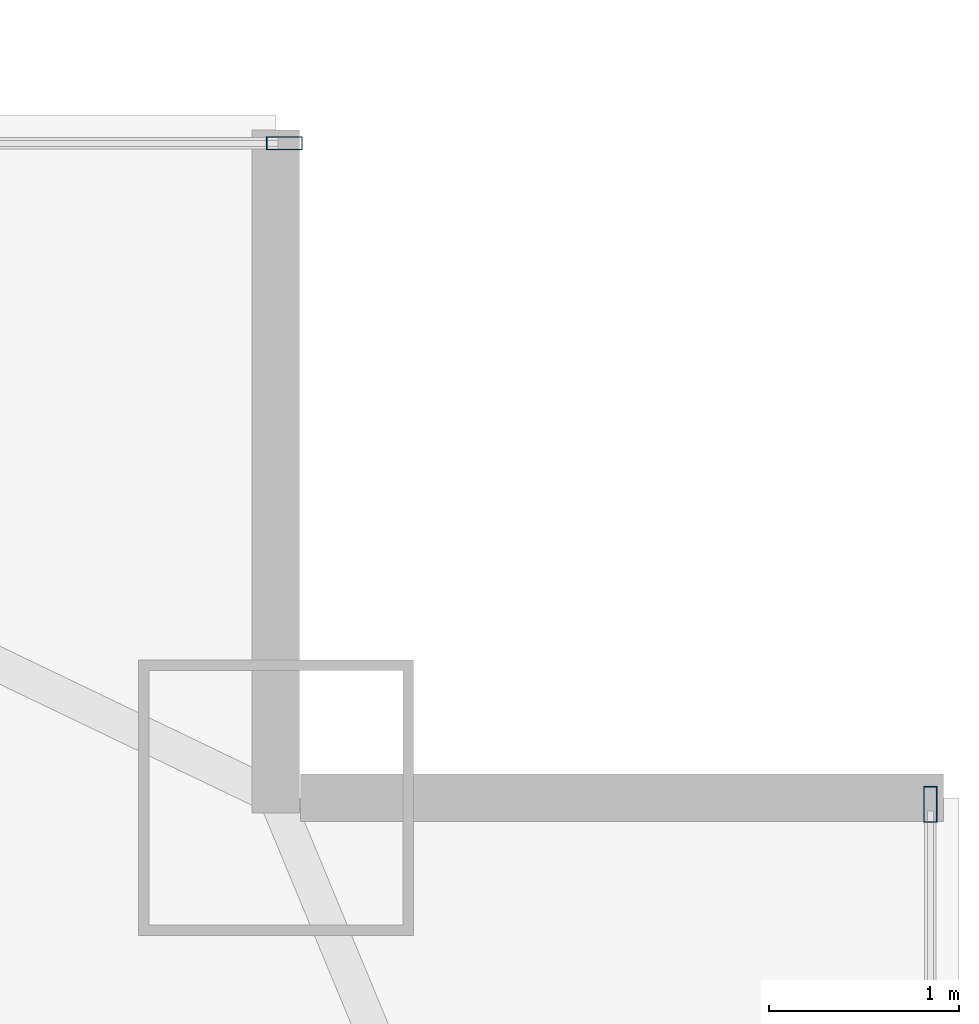
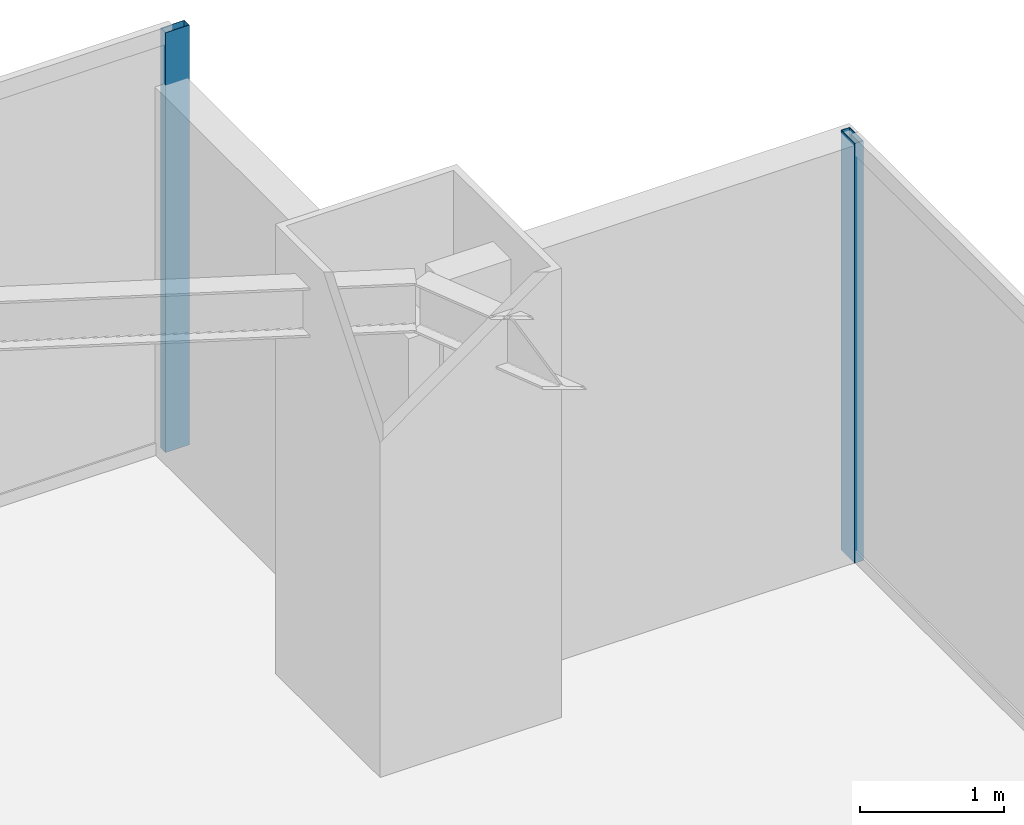
# One storey, part 26 of 32: 2 members, 2 elements without a shape of their own.
"""IFC4 building model written with IfcOpenShell, lengths in metres."""

import ifcopenshell
import ifcopenshell.guid

model = None  # the IFC model being written
_history = None  # IfcOwnerHistory: only IFC2X3 demands one
_inside = {}  # id of a spatial element -> (the spatial element, [elements in it])
_under = {}  # id of a project, library or spatial element -> (it, [spatial elements below it])
_declared = {}  # id of a project -> (the project, [libraries it declares])
_typed = {}  # id of a type object -> (the type object, [elements of that type])
_made_of = {}  # id of a material, layer set ... -> (it, [elements and type objects made of it])


def new_model(schema):
    """Start an empty IFC model of exactly this schema.

    Asked for "IFC4X3", IfcOpenShell would pick the latest addendum, in which some entities
    have other attributes; the version numbers below select the first issue.
    IFC2X3 requires an IfcOwnerHistory on every rooted entity: one is made here for all.
    """
    global model, _history
    if schema == "IFC4X3":
        model = ifcopenshell.file(schema_version=(4, 3, 0, 0))
    else:
        model = ifcopenshell.file(schema=schema)
    _inside.clear()
    _under.clear()
    _declared.clear()
    _typed.clear()
    _made_of.clear()
    _history = None
    if model.schema == "IFC2X3":
        org = make("IfcOrganization", Name="unknown")
        user = make(
            "IfcPersonAndOrganization",
            ThePerson=make("IfcPerson", FamilyName="unknown"),
            TheOrganization=org,
        )
        app = make(
            "IfcApplication",
            ApplicationDeveloper=org,
            Version="unknown",
            ApplicationFullName="unknown",
            ApplicationIdentifier="unknown",
        )
        _history = make(
            "IfcOwnerHistory",
            OwningUser=user,
            OwningApplication=app,
            ChangeAction="ADDED",
            CreationDate=0,
        )
    return model


def make(cls, **values):
    """One entity of the class cls with the attributes given. An attribute that is None is left unset."""
    return model.create_entity(
        cls, **{name: value for name, value in values.items() if value is not None}
    )


def rooted(cls, **values):
    """An entity with a GlobalId (a new one), such as an element, a storey or a relation."""
    return make(cls, GlobalId=ifcopenshell.guid.new(), OwnerHistory=_history, **values)


def si_unit(unit_type, name, prefix=None):
    """IfcSIUnit, for example si_unit("LENGTHUNIT", "METRE", prefix="MILLI")."""
    return make("IfcSIUnit", UnitType=unit_type, Prefix=prefix, Name=name)


def assignment(units):
    """IfcUnitAssignment: the units of a project."""
    return None if units is None else make("IfcUnitAssignment", Units=units)


def point(xyz):
    """IfcCartesianPoint."""
    return None if xyz is None else make("IfcCartesianPoint", Coordinates=xyz)


def direction(xyz):
    """IfcDirection."""
    return None if xyz is None else make("IfcDirection", DirectionRatios=xyz)


def frame(location, z_axis=None, x_axis=None):
    """IfcAxis2Placement3D, a coordinate frame: its origin and axes. An axis left out is left unset."""
    return make(
        "IfcAxis2Placement3D",
        Location=point(location),
        Axis=direction(z_axis),
        RefDirection=direction(x_axis),
    )


def frame_2d(location, x_axis=None):
    """IfcAxis2Placement2D, a coordinate frame in the plane: its origin and x axis."""
    return make(
        "IfcAxis2Placement2D", Location=point(location), RefDirection=direction(x_axis)
    )


def origin():
    """The frame at (0, 0, 0) with its axes left unset."""
    return frame((0.0, 0.0, 0.0))


def origin_2d():
    """The frame at (0, 0) in the plane with its x axis left unset."""
    return frame_2d((0.0, 0.0))


def place(relative_to, where):
    """IfcLocalPlacement: puts the frame where relative to a parent placement (None: the world)."""
    return make(
        "IfcLocalPlacement", PlacementRelTo=relative_to, RelativePlacement=where
    )


def context(
    kind, dimensions, precision=None, world=None, true_north=None, identifier=None
):
    """IfcGeometricRepresentationContext, for example the 3D "Model" context."""
    return make(
        "IfcGeometricRepresentationContext",
        ContextIdentifier=identifier,
        ContextType=kind,
        CoordinateSpaceDimension=dimensions,
        Precision=precision,
        WorldCoordinateSystem=world,
        TrueNorth=true_north,
    )


def subcontext(parent, identifier, kind, view, scale=None):
    """IfcGeometricRepresentationSubContext, for example "Body" below "Model"."""
    return make(
        "IfcGeometricRepresentationSubContext",
        ContextIdentifier=identifier,
        ContextType=kind,
        ParentContext=parent,
        TargetScale=scale,
        TargetView=view,
    )


def project(units=None, contexts=None):
    """IfcProject with its units and contexts."""
    return rooted(
        "IfcProject",
        Name="project",
        RepresentationContexts=contexts,
        UnitsInContext=assignment(units),
    )


def spatial(cls, under=None, at=None, **own):
    """A site, building, storey or space (cls), placed at a placement, below another one or the project."""
    s = rooted(cls, ObjectPlacement=at, **own)
    if under is not None:
        _under.setdefault(under.id(), (under, []))[1].append(s)
    return s


def profile(cls, at=None, kind="AREA", **sizes):
    """A parametric profile (cls). Its sizes go by their IFC names, for example OverallWidth=200.0."""
    return make(cls, ProfileType=kind, Position=at, **sizes)


def hollow_rectangle(**sizes):
    """IfcRectangleHollowProfileDef."""
    return profile("IfcRectangleHollowProfileDef", **sizes)


def extrude(swept, where, along, depth):
    """IfcExtrudedAreaSolid: the profile swept, set in the frame where, extruded along a direction by depth."""
    return make(
        "IfcExtrudedAreaSolid",
        SweptArea=swept,
        Position=where,
        ExtrudedDirection=direction(along),
        Depth=depth,
    )


def shape(context_of_items, identifier, shape_type, items):
    """IfcShapeRepresentation: the items that make up one representation, for example the "Body"."""
    return make(
        "IfcShapeRepresentation",
        ContextOfItems=context_of_items,
        RepresentationIdentifier=identifier,
        RepresentationType=shape_type,
        Items=items,
    )


def source(mapping_origin, context_of_items, identifier, shape_type, items):
    """IfcRepresentationMap: a shape defined once, which mapped items show again and again."""
    return make(
        "IfcRepresentationMap",
        MappingOrigin=mapping_origin,
        MappedRepresentation=shape(context_of_items, identifier, shape_type, items),
    )


def transform(
    local_origin,
    x_axis=None,
    y_axis=None,
    z_axis=None,
    scale=None,
    scale2=None,
    scale3=None,
    uniform=True,
):
    """IfcCartesianTransformationOperator3D, or its non-uniform kind. x_axis, y_axis, z_axis: its Axis1, 2, 3."""
    if uniform:
        return make(
            "IfcCartesianTransformationOperator3D",
            Axis1=direction(x_axis),
            Axis2=direction(y_axis),
            LocalOrigin=point(local_origin),
            Scale=scale,
            Axis3=direction(z_axis),
        )
    return make(
        "IfcCartesianTransformationOperator3DnonUniform",
        Axis1=direction(x_axis),
        Axis2=direction(y_axis),
        LocalOrigin=point(local_origin),
        Scale=scale,
        Axis3=direction(z_axis),
        Scale2=scale2,
        Scale3=scale3,
    )


def mapped(mapping_source, mapping_target):
    """IfcMappedItem: shows the shape of a source again, moved by a transform."""
    return make(
        "IfcMappedItem", MappingSource=mapping_source, MappingTarget=mapping_target
    )


def material(Name=None, Category=None):
    """IfcMaterial."""
    return make("IfcMaterial", Name=Name, Category=Category)


def layer(
    of_material, thickness, ventilated=None, Name=None, Category=None, Priority=None
):
    """IfcMaterialLayer: one layer of a wall or slab, of a material (None: an air gap)."""
    return make(
        "IfcMaterialLayer",
        Material=of_material,
        LayerThickness=thickness,
        IsVentilated=ventilated,
        Name=Name,
        Category=Category,
        Priority=Priority,
    )


def layer_set(layers, Name=None):
    """IfcMaterialLayerSet."""
    return make("IfcMaterialLayerSet", MaterialLayers=layers, LayerSetName=Name)


def material_profile(
    of_material, cross_section, Name=None, Category=None, Priority=None
):
    """IfcMaterialProfile: a cross section and its material."""
    return make(
        "IfcMaterialProfile",
        Name=Name,
        Material=of_material,
        Profile=cross_section,
        Priority=Priority,
        Category=Category,
    )


def profile_set(profiles, Name=None, composite=None):
    """IfcMaterialProfileSet."""
    return make(
        "IfcMaterialProfileSet",
        Name=Name,
        MaterialProfiles=profiles,
        CompositeProfile=composite,
    )


def made_of(thing, what):
    """Note that an element or type object is made of a material, layer set ...; save() writes the relation."""
    if what is not None:
        _made_of.setdefault(what.id(), (what, []))[1].append(thing)
    return thing


def type_object(cls, material=None, **own):
    """A type object (cls), such as IfcWallType, which elements share."""
    return made_of(rooted(cls, **own), material)


def type_shapes(of_type, sources):
    """Give a type object the sources (RepresentationMaps) that its elements show as mapped items."""
    of_type.RepresentationMaps = sources


def element(
    cls,
    number,
    at=None,
    inside=None,
    cuts=None,
    type_object=None,
    material=None,
    context=None,
    identifier="Body",
    shape_type=None,
    held_by="IfcProductDefinitionShape",
    body=None,
    shapes=None,
    **own,
):
    """One element of the class cls, such as IfcWall. Its Tag is "e" and its number.

    at: its placement. inside: the storey or other place that contains it. cuts: it is an
    opening in that element (IfcRelVoidsElement). A single representation is given by context,
    identifier, shape_type and body (its items); several are given by shapes. held_by: the class
    of the entity that holds the representations. save() writes the other relations.
    """
    e = rooted(cls, Tag="e%d" % number, ObjectPlacement=at, **own)
    if body is not None:
        shapes = [shape(context, identifier, shape_type, body)]
    if shapes is not None:
        e.Representation = make(held_by, Representations=shapes)
    if inside is not None:
        _inside.setdefault(inside.id(), (inside, []))[1].append(e)
    if cuts is not None:
        rooted(
            "IfcRelVoidsElement", RelatingBuildingElement=cuts, RelatedOpeningElement=e
        )
    if type_object is not None:
        _typed.setdefault(type_object.id(), (type_object, []))[1].append(e)
    return made_of(e, material)


def aggregate(whole, parts):
    """IfcRelAggregates: a whole, such as a stair, and the parts it consists of."""
    return rooted("IfcRelAggregates", RelatingObject=whole, RelatedObjects=parts)


def save(model, path):
    """Write the relations noted so far, then the file.

    IfcRelAggregates (storeys below a building ...), IfcRelContainedInSpatialStructure (elements
    in a storey), IfcRelDefinesByType, IfcRelAssociatesMaterial and IfcRelDeclares: one each for
    every whole, place, type object, material and project.
    """
    for whole, parts in _under.values():
        aggregate(whole, parts)
    for where, things in _inside.values():
        rooted(
            "IfcRelContainedInSpatialStructure",
            RelatedElements=things,
            RelatingStructure=where,
        )
    for kind, things in _typed.values():
        rooted("IfcRelDefinesByType", RelatedObjects=things, RelatingType=kind)
    for what, things in _made_of.values():
        rooted("IfcRelAssociatesMaterial", RelatedObjects=things, RelatingMaterial=what)
    for by, libraries in _declared.values():
        rooted("IfcRelDeclares", RelatingContext=by, RelatedDefinitions=libraries)
    model.write(path)


model = new_model("IFC4")

# Units and contexts
model_context = context("Model", 3, precision=1e-05, world=origin(), true_north=direction((0.0, 1.0)))
body_context = subcontext(model_context, "Body", "Model", "MODEL_VIEW")
ifc_project = project(units=[si_unit("LENGTHUNIT", "METRE"), si_unit("AREAUNIT", "SQUARE_METRE"), si_unit("VOLUMEUNIT", "CUBIC_METRE"), si_unit("PLANEANGLEUNIT", "RADIAN"), si_unit("MASSUNIT", "GRAM", prefix="KILO")], contexts=[model_context])

# Site, building, storey
site_placement = place(None, origin())
site = spatial("IfcSite", under=ifc_project, at=site_placement, CompositionType="ELEMENT")
building_placement = place(site_placement, origin())
building = spatial("IfcBuilding", under=site, at=building_placement, Name="Varnel Quay Broadcast Tower", CompositionType="ELEMENT")
storey_placement = place(building_placement, frame((0.0, 0.0, 133.39990234375)))
storey = spatial("IfcBuildingStorey", under=building, at=storey_placement, Name="L32", CompositionType="ELEMENT", Elevation=133.39990234375)

# Curtain wall, member
ifc_material = material(Name="Anodised Bronze Aluminium 6063-T6", Category="aluminium")
ifc_layer = layer(ifc_material, 0.18994140625, Name="Anodised Bronze Aluminium 6063-T6")
ifc_layer_set = layer_set([ifc_layer], Name="Anodised Bronze Aluminium 6063-T6")
curtain_wall_type = type_object("IfcCurtainWallType", Name="CW_LowerTower", PredefinedType="NOTDEFINED", material=ifc_layer_set)
curtain_wall_1_placement = place(storey_placement, origin())
curtain_wall_1 = element("IfcCurtainWall", 1, at=curtain_wall_1_placement, inside=storey, type_object=curtain_wall_type, Name="L32 East Unitised Curtain Wall", PredefinedType="NOTDEFINED")
ifc_material_profile = material_profile(ifc_material, hollow_rectangle(XDim=0.070068359375, YDim=0.18994140625, WallThickness=0.00390625, at=origin_2d()), Name="ALU70X190X4")
ifc_profile_set = profile_set([ifc_material_profile], Name="Anodised Bronze Aluminium 6063-T6")
member_type = type_object("IfcMemberType", Name="Mull_CWS-02", PredefinedType="MULLION", material=ifc_profile_set)
shared_shape = source(origin(), body_context, "Body", "SweptSolid", [
    extrude(hollow_rectangle(XDim=0.070068359375, YDim=0.18994140625, WallThickness=0.00390625, at=origin_2d()), origin(), (0.0, 0.0, 1.0), 3.550048828125),
])
type_shapes(member_type, [shared_shape])
member_1_placement = place(storey_placement, frame((63.35009765625, 43.1650390625, 0.0), z_axis=(0.0, 0.0, 1.0), x_axis=(-1.0, 0.0, 0.0)))
member_1 = element("IfcMember", 2, at=member_1_placement, type_object=member_type, Name="CWS-02 mullion 4", PredefinedType="MULLION", context=body_context, shape_type="MappedRepresentation", body=[
    mapped(shared_shape, transform((0.0, 0.0, 0.0), x_axis=(1.0, 0.0, 0.0), y_axis=(0.0, 1.0, 0.0), z_axis=(0.0, 0.0, 1.0), scale=1.0)),
])
aggregate(curtain_wall_1, [member_1])

curtain_wall_2_placement = place(storey_placement, origin())
curtain_wall_2 = element("IfcCurtainWall", 3, at=curtain_wall_2_placement, inside=storey, type_object=curtain_wall_type, Name="L32 NE Wing Curtain Wall", PredefinedType="NOTDEFINED")
member_2_placement = place(storey_placement, frame((59.945068359375, 46.64990234375, 0.0), z_axis=(0.0, 0.0, 1.0), x_axis=(0.0, 1.0, 0.0)))
member_2 = element("IfcMember", 4, at=member_2_placement, type_object=member_type, Name="CWS-02 mullion 2", PredefinedType="MULLION", context=body_context, shape_type="MappedRepresentation", body=[
    mapped(shared_shape, transform((0.0, 0.0, 0.0), x_axis=(1.0, 0.0, 0.0), y_axis=(0.0, 1.0, 0.0), z_axis=(0.0, 0.0, 1.0), scale=1.0)),
])
aggregate(curtain_wall_2, [member_2])

save(model, "model.ifc")
